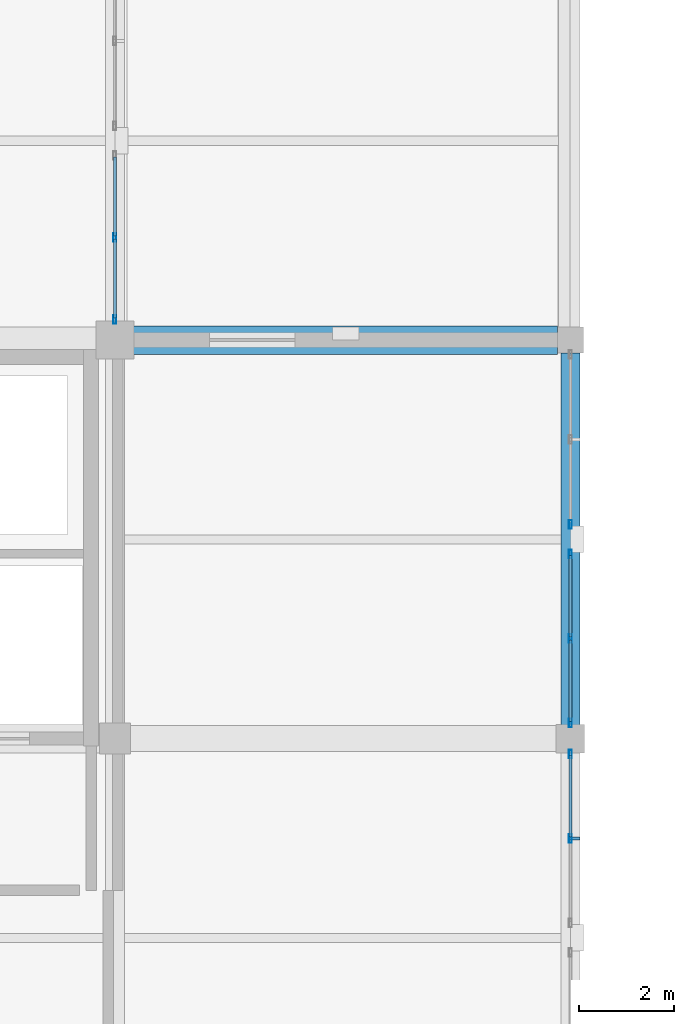
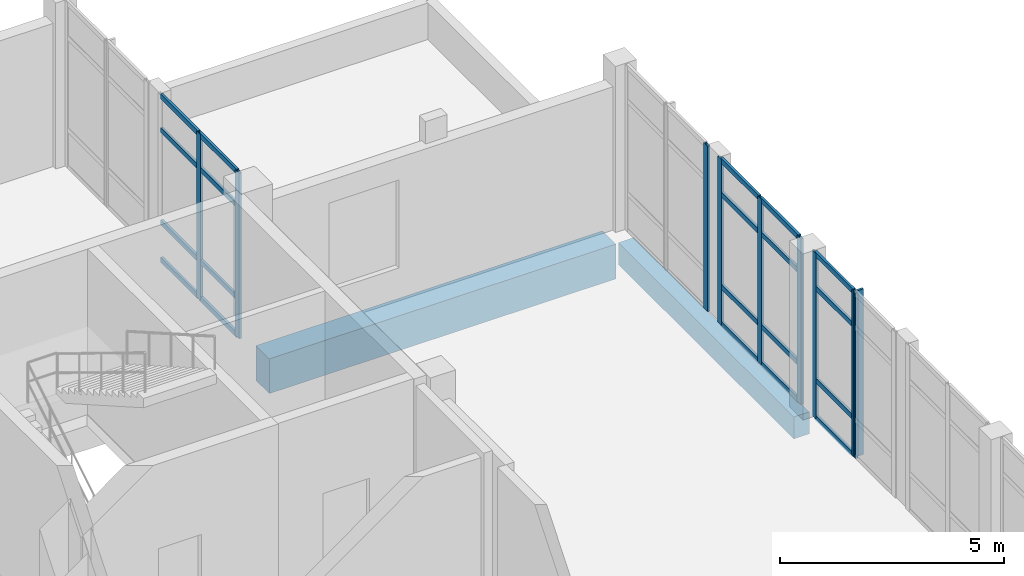
# One storey, part 70 of 102: 29 members, 2 beams, 4 elements without a shape of their own.
"""IFC4 building model written with IfcOpenShell, lengths in metres."""

from ifc_helpers import new_model, si_unit, direction, frame, origin, origin_2d, place, context, subcontext, project, spatial, rectangle, hollow_rectangle, extrude, material, layer, layer_set, material_profile, profile_set, type_object, element, aggregate, save


model = new_model("IFC4")

# Units and contexts
model_context = context("Model", 3, precision=1e-05, world=origin(), true_north=direction((0.0, 1.0)))
body_context = subcontext(model_context, "Body", "Model", "MODEL_VIEW")
ifc_project = project(units=[si_unit("LENGTHUNIT", "METRE"), si_unit("AREAUNIT", "SQUARE_METRE"), si_unit("VOLUMEUNIT", "CUBIC_METRE"), si_unit("PLANEANGLEUNIT", "RADIAN"), si_unit("MASSUNIT", "GRAM", prefix="KILO")], contexts=[model_context])

# Site, building, storey
site_placement = place(None, origin())
site = spatial("IfcSite", under=ifc_project, at=site_placement, CompositionType="ELEMENT")
building_placement = place(site_placement, origin())
building = spatial("IfcBuilding", under=site, at=building_placement, Name="Lornevale Opera House", CompositionType="ELEMENT")
storey_placement = place(building_placement, frame((0.0, 0.0, 5.39990234375)))
storey = spatial("IfcBuildingStorey", under=building, at=storey_placement, Name="L02", CompositionType="ELEMENT", Elevation=5.39990234375)

# Beams
ifc_material_1 = material(Name="Concrete 35 MPa (CSA A23.1 N)", Category="concrete")
ifc_material_profile_1 = material_profile(ifc_material_1, rectangle(XDim=0.60009765625, YDim=0.949951171875, at=origin_2d()), Name="RC600x950")
ifc_profile_set_1 = profile_set([ifc_material_profile_1], Name="Concrete 35 MPa (CSA A23.1 N)")
beam_type_1 = type_object("IfcBeamType", Name="Concrete Primary Girder 600x950", PredefinedType="USERDEFINED", material=ifc_profile_set_1)
beam_1_placement = place(storey_placement, frame((144.375, 75.60009765625, -0.77490234375), z_axis=(1.0, 0.0, 0.0), x_axis=(0.0, 1.0, 0.0)))
element("IfcBeam", 1, at=beam_1_placement, inside=storey, type_object=beam_type_1, Name="Concrete Primary Girder 600x950 1778", ObjectType="GIRDER", PredefinedType="USERDEFINED", context=body_context, shape_type="SweptSolid", body=[
    extrude(rectangle(XDim=0.60009765625, YDim=0.949951171875, at=origin_2d()), origin(), (0.0, 0.0, 1.0), 8.949951171875),
])
ifc_material_profile_2 = material_profile(ifc_material_1, rectangle(XDim=0.39990234375, YDim=0.60009765625, at=origin_2d()), Name="RC400x600")
ifc_profile_set_2 = profile_set([ifc_material_profile_2], Name="Concrete 35 MPa (CSA A23.1 N)")
beam_type_2 = type_object("IfcBeamType", Name="Concrete Spandrel Beam 400x600", PredefinedType="SPANDREL", material=ifc_profile_set_2)
beam_2_placement = place(storey_placement, frame((153.60009765625, 67.47509765625, -0.599853515625), z_axis=(0.0, 1.0, 0.0), x_axis=(-1.0, 0.0, 0.0)))
element("IfcBeam", 2, at=beam_2_placement, inside=storey, type_object=beam_type_2, Name="Concrete Spandrel Beam 400x600 1976", PredefinedType="SPANDREL", context=body_context, shape_type="SweptSolid", body=[
    extrude(rectangle(XDim=0.39990234375, YDim=0.60009765625, at=origin_2d()), origin(), (0.0, 0.0, 1.0), 7.849853515625),
])

# Curtain wall, members
ifc_material_2 = material(Name="Anodized Oxide-Green Aluminium Framing", Category="aluminium")
ifc_layer = layer(ifc_material_2, 0.179931640625)
ifc_layer_set = layer_set([ifc_layer], Name="Anodized Oxide-Green Aluminium Framing")
curtain_wall_type = type_object("IfcCurtainWallType", Name="Promenade Gallery Curtain Wall M1800", PredefinedType="NOTDEFINED", material=ifc_layer_set)
curtain_wall_1_placement = place(storey_placement, origin())
curtain_wall_1 = element("IfcCurtainWall", 3, at=curtain_wall_1_placement, inside=storey, type_object=curtain_wall_type, Name="Promenade Gallery Curtain Wall M1800 CW-079", PredefinedType="NOTDEFINED")
ifc_material_profile_3 = material_profile(ifc_material_2, hollow_rectangle(XDim=0.06494140625, YDim=0.179931640625, WallThickness=0.0048828125, at=origin_2d()), Name="ALU65x180x5")
ifc_profile_set_3 = profile_set([ifc_material_profile_3], Name="Anodized Oxide-Green Aluminium Framing")
member_type_1 = type_object("IfcMemberType", Name="Curtain Wall Mullion 65x180", PredefinedType="MULLION", material=ifc_profile_set_3)
member_1_placement = place(storey_placement, frame((144.0, 77.758056640625, 0.0), z_axis=(0.0, 0.0, 1.0), x_axis=(1.0, 0.0, 0.0)))
member_1 = element("IfcMember", 4, at=member_1_placement, type_object=member_type_1, Name="Curtain Wall Mullion 65x180 CW1600", PredefinedType="MULLION", context=body_context, shape_type="SweptSolid", body=[
    extrude(hollow_rectangle(XDim=0.06494140625, YDim=0.179931640625, WallThickness=0.0048828125, at=origin_2d()), origin(), (0.0, 0.0, 1.0), 4.52001953125),
])
member_2_placement = place(storey_placement, frame((144.0, 76.028564453125, 0.0), z_axis=(0.0, 0.0, 1.0), x_axis=(1.0, 0.0, 0.0)))
member_2 = element("IfcMember", 5, at=member_2_placement, type_object=member_type_1, Name="Curtain Wall Mullion 65x180 CW1601", PredefinedType="MULLION", context=body_context, shape_type="SweptSolid", body=[
    extrude(hollow_rectangle(XDim=0.06494140625, YDim=0.179931640625, WallThickness=0.0048828125, at=origin_2d()), origin(), (0.0, 0.0, 1.0), 4.52001953125),
])

curtain_wall_2_placement = place(storey_placement, origin())
curtain_wall_2 = element("IfcCurtainWall", 6, at=curtain_wall_2_placement, inside=storey, type_object=curtain_wall_type, Name="Promenade Gallery Curtain Wall M1800 CW-088", PredefinedType="NOTDEFINED")
member_3_placement = place(storey_placement, frame((153.60009765625, 66.87158203125, 0.0), z_axis=(0.0, 0.0, 1.0), x_axis=(1.0, 0.0, 0.0)))
member_3 = element("IfcMember", 7, at=member_3_placement, type_object=member_type_1, Name="Curtain Wall Mullion 65x180 CW1752", PredefinedType="MULLION", context=body_context, shape_type="SweptSolid", body=[
    extrude(hollow_rectangle(XDim=0.06494140625, YDim=0.179931640625, WallThickness=0.0048828125, at=origin_2d()), origin(), (0.0, 0.0, 1.0), 4.52001953125),
])
member_4_placement = place(storey_placement, frame((153.60009765625, 65.092041015625, 0.0), z_axis=(0.0, 0.0, 1.0), x_axis=(1.0, 0.0, 0.0)))
member_4 = element("IfcMember", 8, at=member_4_placement, type_object=member_type_1, Name="Curtain Wall Mullion 65x180 CW1753", PredefinedType="MULLION", context=body_context, shape_type="SweptSolid", body=[
    extrude(hollow_rectangle(XDim=0.06494140625, YDim=0.179931640625, WallThickness=0.0048828125, at=origin_2d()), origin(), (0.0, 0.0, 1.0), 4.52001953125),
])

# Curtain wall, member
curtain_wall_3_placement = place(storey_placement, origin())
curtain_wall_3 = element("IfcCurtainWall", 9, at=curtain_wall_3_placement, inside=storey, type_object=curtain_wall_type, Name="Promenade Gallery Curtain Wall M1800 CW-090", PredefinedType="NOTDEFINED")
member_5_placement = place(storey_placement, frame((153.60009765625, 71.71240234375, 0.0), z_axis=(0.0, 0.0, 1.0), x_axis=(1.0, 0.0, 0.0)))
member_5 = element("IfcMember", 10, at=member_5_placement, type_object=member_type_1, Name="Curtain Wall Mullion 65x180 CW1788", PredefinedType="MULLION", context=body_context, shape_type="SweptSolid", body=[
    extrude(hollow_rectangle(XDim=0.06494140625, YDim=0.179931640625, WallThickness=0.0048828125, at=origin_2d()), origin(), (0.0, 0.0, 1.0), 4.52001953125),
])
aggregate(curtain_wall_3, [member_5])

# Curtain wall, members
curtain_wall_4_placement = place(storey_placement, origin())
curtain_wall_4 = element("IfcCurtainWall", 11, at=curtain_wall_4_placement, inside=storey, type_object=curtain_wall_type, Name="Promenade Gallery Curtain Wall M1800 CW-091", PredefinedType="NOTDEFINED")
member_6_placement = place(storey_placement, frame((153.60009765625, 71.08740234375, 0.0), z_axis=(0.0, 0.0, 1.0), x_axis=(1.0, 0.0, 0.0)))
member_6 = element("IfcMember", 12, at=member_6_placement, type_object=member_type_1, Name="Curtain Wall Mullion 65x180 CW1803", PredefinedType="MULLION", context=body_context, shape_type="SweptSolid", body=[
    extrude(hollow_rectangle(XDim=0.06494140625, YDim=0.179931640625, WallThickness=0.0048828125, at=origin_2d()), origin(), (0.0, 0.0, 1.0), 4.52001953125),
])
member_7_placement = place(storey_placement, frame((153.60009765625, 69.30810546875, 0.0), z_axis=(0.0, 0.0, 1.0), x_axis=(1.0, 0.0, 0.0)))
member_7 = element("IfcMember", 13, at=member_7_placement, type_object=member_type_1, Name="Curtain Wall Mullion 65x180 CW1804", PredefinedType="MULLION", context=body_context, shape_type="SweptSolid", body=[
    extrude(hollow_rectangle(XDim=0.06494140625, YDim=0.179931640625, WallThickness=0.0048828125, at=origin_2d()), origin(), (0.0, 0.0, 1.0), 4.52001953125),
])
member_8_placement = place(storey_placement, frame((153.60009765625, 67.528564453125, 0.0), z_axis=(0.0, 0.0, 1.0), x_axis=(1.0, 0.0, 0.0)))
member_8 = element("IfcMember", 14, at=member_8_placement, type_object=member_type_1, Name="Curtain Wall Mullion 65x180 CW1805", PredefinedType="MULLION", context=body_context, shape_type="SweptSolid", body=[
    extrude(hollow_rectangle(XDim=0.06494140625, YDim=0.179931640625, WallThickness=0.0048828125, at=origin_2d()), origin(), (0.0, 0.0, 1.0), 4.52001953125),
])

# Member
ifc_material_profile_4 = material_profile(ifc_material_2, hollow_rectangle(XDim=0.06494140625, YDim=0.135009765625, WallThickness=0.00390625, at=origin_2d()), Name="ALU65x135x4")
ifc_profile_set_4 = profile_set([ifc_material_profile_4], Name="Anodized Oxide-Green Aluminium Framing")
member_type_2 = type_object("IfcMemberType", Name="Curtain Wall Transom 65x135", PredefinedType="USERDEFINED", material=ifc_profile_set_4)
member_9_placement = place(storey_placement, frame((144.0, 79.455078125, 0.03271484375), z_axis=(0.0, -1.0, 0.0), x_axis=(1.0, 0.0, 0.0)))
member_9 = element("IfcMember", 15, at=member_9_placement, type_object=member_type_2, Name="Curtain Wall Transom 65x135 CW1602", ObjectType="TRANSOM", PredefinedType="USERDEFINED", context=body_context, shape_type="SweptSolid", body=[
    extrude(hollow_rectangle(XDim=0.06494140625, YDim=0.135009765625, WallThickness=0.00390625, at=origin_2d()), origin(), (0.0, 0.0, 1.0), 1.66455078125),
])

member_10_placement = place(storey_placement, frame((144.0, 79.455078125, 1.050048828125), z_axis=(0.0, -1.0, 0.0), x_axis=(1.0, 0.0, 0.0)))
member_10 = element("IfcMember", 16, at=member_10_placement, type_object=member_type_2, Name="Curtain Wall Transom 65x135 CW1603", ObjectType="TRANSOM", PredefinedType="USERDEFINED", context=body_context, shape_type="SweptSolid", body=[
    extrude(hollow_rectangle(XDim=0.06494140625, YDim=0.135009765625, WallThickness=0.00390625, at=origin_2d()), origin(), (0.0, 0.0, 1.0), 1.66455078125),
])

member_11_placement = place(storey_placement, frame((144.0, 79.455078125, 3.570068359375), z_axis=(0.0, -1.0, 0.0), x_axis=(1.0, 0.0, 0.0)))
member_11 = element("IfcMember", 17, at=member_11_placement, type_object=member_type_2, Name="Curtain Wall Transom 65x135 CW1604", ObjectType="TRANSOM", PredefinedType="USERDEFINED", context=body_context, shape_type="SweptSolid", body=[
    extrude(hollow_rectangle(XDim=0.06494140625, YDim=0.135009765625, WallThickness=0.00390625, at=origin_2d()), origin(), (0.0, 0.0, 1.0), 1.66455078125),
])

member_12_placement = place(storey_placement, frame((144.0, 79.455078125, 4.487548828125), z_axis=(0.0, -1.0, 0.0), x_axis=(1.0, 0.0, 0.0)))
member_12 = element("IfcMember", 18, at=member_12_placement, type_object=member_type_2, Name="Curtain Wall Transom 65x135 CW1605", ObjectType="TRANSOM", PredefinedType="USERDEFINED", context=body_context, shape_type="SweptSolid", body=[
    extrude(hollow_rectangle(XDim=0.06494140625, YDim=0.135009765625, WallThickness=0.00390625, at=origin_2d()), origin(), (0.0, 0.0, 1.0), 1.66455078125),
])

member_13_placement = place(storey_placement, frame((144.0, 77.7255859375, 0.03271484375), z_axis=(0.0, -1.0, 0.0), x_axis=(1.0, 0.0, 0.0)))
member_13 = element("IfcMember", 19, at=member_13_placement, type_object=member_type_2, Name="Curtain Wall Transom 65x135 CW1609", ObjectType="TRANSOM", PredefinedType="USERDEFINED", context=body_context, shape_type="SweptSolid", body=[
    extrude(hollow_rectangle(XDim=0.06494140625, YDim=0.135009765625, WallThickness=0.00390625, at=origin_2d()), origin(), (0.0, 0.0, 1.0), 1.66455078125),
])

member_14_placement = place(storey_placement, frame((144.0, 77.7255859375, 1.050048828125), z_axis=(0.0, -1.0, 0.0), x_axis=(1.0, 0.0, 0.0)))
member_14 = element("IfcMember", 20, at=member_14_placement, type_object=member_type_2, Name="Curtain Wall Transom 65x135 CW1610", ObjectType="TRANSOM", PredefinedType="USERDEFINED", context=body_context, shape_type="SweptSolid", body=[
    extrude(hollow_rectangle(XDim=0.06494140625, YDim=0.135009765625, WallThickness=0.00390625, at=origin_2d()), origin(), (0.0, 0.0, 1.0), 1.66455078125),
])

member_15_placement = place(storey_placement, frame((144.0, 77.7255859375, 3.570068359375), z_axis=(0.0, -1.0, 0.0), x_axis=(1.0, 0.0, 0.0)))
member_15 = element("IfcMember", 21, at=member_15_placement, type_object=member_type_2, Name="Curtain Wall Transom 65x135 CW1611", ObjectType="TRANSOM", PredefinedType="USERDEFINED", context=body_context, shape_type="SweptSolid", body=[
    extrude(hollow_rectangle(XDim=0.06494140625, YDim=0.135009765625, WallThickness=0.00390625, at=origin_2d()), origin(), (0.0, 0.0, 1.0), 1.66455078125),
])

member_16_placement = place(storey_placement, frame((144.0, 77.7255859375, 4.487548828125), z_axis=(0.0, -1.0, 0.0), x_axis=(1.0, 0.0, 0.0)))
member_16 = element("IfcMember", 22, at=member_16_placement, type_object=member_type_2, Name="Curtain Wall Transom 65x135 CW1612", ObjectType="TRANSOM", PredefinedType="USERDEFINED", context=body_context, shape_type="SweptSolid", body=[
    extrude(hollow_rectangle(XDim=0.06494140625, YDim=0.135009765625, WallThickness=0.00390625, at=origin_2d()), origin(), (0.0, 0.0, 1.0), 1.66455078125),
])

aggregate(curtain_wall_1, [member_1, member_2, member_9, member_10, member_11, member_12, member_13, member_14, member_15, member_16])

member_17_placement = place(storey_placement, frame((153.60009765625, 66.839111328125, 0.03271484375), z_axis=(0.0, -1.0, 0.0), x_axis=(1.0, 0.0, 0.0)))
member_17 = element("IfcMember", 23, at=member_17_placement, type_object=member_type_2, Name="Curtain Wall Transom 65x135 CW1755", ObjectType="TRANSOM", PredefinedType="USERDEFINED", context=body_context, shape_type="SweptSolid", body=[
    extrude(hollow_rectangle(XDim=0.06494140625, YDim=0.135009765625, WallThickness=0.00390625, at=origin_2d()), origin(), (0.0, 0.0, 1.0), 1.714599609375),
])

member_18_placement = place(storey_placement, frame((153.60009765625, 66.839111328125, 1.050048828125), z_axis=(0.0, -1.0, 0.0), x_axis=(1.0, 0.0, 0.0)))
member_18 = element("IfcMember", 24, at=member_18_placement, type_object=member_type_2, Name="Curtain Wall Transom 65x135 CW1756", ObjectType="TRANSOM", PredefinedType="USERDEFINED", context=body_context, shape_type="SweptSolid", body=[
    extrude(hollow_rectangle(XDim=0.06494140625, YDim=0.135009765625, WallThickness=0.00390625, at=origin_2d()), origin(), (0.0, 0.0, 1.0), 1.714599609375),
])

member_19_placement = place(storey_placement, frame((153.60009765625, 66.839111328125, 3.570068359375), z_axis=(0.0, -1.0, 0.0), x_axis=(1.0, 0.0, 0.0)))
member_19 = element("IfcMember", 25, at=member_19_placement, type_object=member_type_2, Name="Curtain Wall Transom 65x135 CW1757", ObjectType="TRANSOM", PredefinedType="USERDEFINED", context=body_context, shape_type="SweptSolid", body=[
    extrude(hollow_rectangle(XDim=0.06494140625, YDim=0.135009765625, WallThickness=0.00390625, at=origin_2d()), origin(), (0.0, 0.0, 1.0), 1.714599609375),
])

member_20_placement = place(storey_placement, frame((153.60009765625, 66.839111328125, 4.487548828125), z_axis=(0.0, -1.0, 0.0), x_axis=(1.0, 0.0, 0.0)))
member_20 = element("IfcMember", 26, at=member_20_placement, type_object=member_type_2, Name="Curtain Wall Transom 65x135 CW1758", ObjectType="TRANSOM", PredefinedType="USERDEFINED", context=body_context, shape_type="SweptSolid", body=[
    extrude(hollow_rectangle(XDim=0.06494140625, YDim=0.135009765625, WallThickness=0.00390625, at=origin_2d()), origin(), (0.0, 0.0, 1.0), 1.714599609375),
])

member_21_placement = place(storey_placement, frame((153.60009765625, 71.054931640625, 0.03271484375), z_axis=(0.0, -1.0, 0.0), x_axis=(1.0, 0.0, 0.0)))
member_21 = element("IfcMember", 27, at=member_21_placement, type_object=member_type_2, Name="Curtain Wall Transom 65x135 CW1806", ObjectType="TRANSOM", PredefinedType="USERDEFINED", context=body_context, shape_type="SweptSolid", body=[
    extrude(hollow_rectangle(XDim=0.06494140625, YDim=0.135009765625, WallThickness=0.00390625, at=origin_2d()), origin(), (0.0, 0.0, 1.0), 1.71435546875),
])

member_22_placement = place(storey_placement, frame((153.60009765625, 71.054931640625, 1.050048828125), z_axis=(0.0, -1.0, 0.0), x_axis=(1.0, 0.0, 0.0)))
member_22 = element("IfcMember", 28, at=member_22_placement, type_object=member_type_2, Name="Curtain Wall Transom 65x135 CW1807", ObjectType="TRANSOM", PredefinedType="USERDEFINED", context=body_context, shape_type="SweptSolid", body=[
    extrude(hollow_rectangle(XDim=0.06494140625, YDim=0.135009765625, WallThickness=0.00390625, at=origin_2d()), origin(), (0.0, 0.0, 1.0), 1.71435546875),
])

member_23_placement = place(storey_placement, frame((153.60009765625, 71.054931640625, 3.570068359375), z_axis=(0.0, -1.0, 0.0), x_axis=(1.0, 0.0, 0.0)))
member_23 = element("IfcMember", 29, at=member_23_placement, type_object=member_type_2, Name="Curtain Wall Transom 65x135 CW1808", ObjectType="TRANSOM", PredefinedType="USERDEFINED", context=body_context, shape_type="SweptSolid", body=[
    extrude(hollow_rectangle(XDim=0.06494140625, YDim=0.135009765625, WallThickness=0.00390625, at=origin_2d()), origin(), (0.0, 0.0, 1.0), 1.71435546875),
])

member_24_placement = place(storey_placement, frame((153.60009765625, 71.054931640625, 4.487548828125), z_axis=(0.0, -1.0, 0.0), x_axis=(1.0, 0.0, 0.0)))
member_24 = element("IfcMember", 30, at=member_24_placement, type_object=member_type_2, Name="Curtain Wall Transom 65x135 CW1809", ObjectType="TRANSOM", PredefinedType="USERDEFINED", context=body_context, shape_type="SweptSolid", body=[
    extrude(hollow_rectangle(XDim=0.06494140625, YDim=0.135009765625, WallThickness=0.00390625, at=origin_2d()), origin(), (0.0, 0.0, 1.0), 1.71435546875),
])

member_25_placement = place(storey_placement, frame((153.60009765625, 69.275390625, 0.03271484375), z_axis=(0.0, -1.0, 0.0), x_axis=(1.0, 0.0, 0.0)))
member_25 = element("IfcMember", 31, at=member_25_placement, type_object=member_type_2, Name="Curtain Wall Transom 65x135 CW1813", ObjectType="TRANSOM", PredefinedType="USERDEFINED", context=body_context, shape_type="SweptSolid", body=[
    extrude(hollow_rectangle(XDim=0.06494140625, YDim=0.135009765625, WallThickness=0.00390625, at=origin_2d()), origin(), (0.0, 0.0, 1.0), 1.71435546875),
])

member_26_placement = place(storey_placement, frame((153.60009765625, 69.275390625, 1.050048828125), z_axis=(0.0, -1.0, 0.0), x_axis=(1.0, 0.0, 0.0)))
member_26 = element("IfcMember", 32, at=member_26_placement, type_object=member_type_2, Name="Curtain Wall Transom 65x135 CW1814", ObjectType="TRANSOM", PredefinedType="USERDEFINED", context=body_context, shape_type="SweptSolid", body=[
    extrude(hollow_rectangle(XDim=0.06494140625, YDim=0.135009765625, WallThickness=0.00390625, at=origin_2d()), origin(), (0.0, 0.0, 1.0), 1.71435546875),
])

member_27_placement = place(storey_placement, frame((153.60009765625, 69.275390625, 3.570068359375), z_axis=(0.0, -1.0, 0.0), x_axis=(1.0, 0.0, 0.0)))
member_27 = element("IfcMember", 33, at=member_27_placement, type_object=member_type_2, Name="Curtain Wall Transom 65x135 CW1815", ObjectType="TRANSOM", PredefinedType="USERDEFINED", context=body_context, shape_type="SweptSolid", body=[
    extrude(hollow_rectangle(XDim=0.06494140625, YDim=0.135009765625, WallThickness=0.00390625, at=origin_2d()), origin(), (0.0, 0.0, 1.0), 1.71435546875),
])

member_28_placement = place(storey_placement, frame((153.60009765625, 69.275390625, 4.487548828125), z_axis=(0.0, -1.0, 0.0), x_axis=(1.0, 0.0, 0.0)))
member_28 = element("IfcMember", 34, at=member_28_placement, type_object=member_type_2, Name="Curtain Wall Transom 65x135 CW1816", ObjectType="TRANSOM", PredefinedType="USERDEFINED", context=body_context, shape_type="SweptSolid", body=[
    extrude(hollow_rectangle(XDim=0.06494140625, YDim=0.135009765625, WallThickness=0.00390625, at=origin_2d()), origin(), (0.0, 0.0, 1.0), 1.71435546875),
])

aggregate(curtain_wall_4, [member_6, member_7, member_8, member_21, member_22, member_23, member_24, member_25, member_26, member_27, member_28])

ifc_material_3 = material(Name="Architectural Bronze Solar Louvre Alloy", Category="metal")
ifc_material_profile_5 = material_profile(ifc_material_3, rectangle(XDim=0.06005859375, YDim=0.239990234375, at=origin_2d()), Name="FIN60x240")
ifc_profile_set_5 = profile_set([ifc_material_profile_5], Name="Architectural Bronze Solar Louvre Alloy")
member_type_3 = type_object("IfcMemberType", Name="Solar Shading Fin 60x240", PredefinedType="USERDEFINED", material=ifc_profile_set_5)
member_29_placement = place(storey_placement, frame((153.68408203125, 65.092041015625, 0.0), z_axis=(0.0, 0.0, 1.0), x_axis=(0.0, -1.0, 0.0)))
member_29 = element("IfcMember", 35, at=member_29_placement, type_object=member_type_3, Name="Solar Shading Fin 60x240 FIN0039", ObjectType="SOLAR FIN", PredefinedType="USERDEFINED", context=body_context, shape_type="SweptSolid", body=[
    extrude(rectangle(XDim=0.06005859375, YDim=0.239990234375, at=origin_2d()), origin(), (0.0, 0.0, 1.0), 4.52001953125),
])

aggregate(curtain_wall_2, [member_3, member_4, member_17, member_18, member_19, member_20, member_29])

save(model, "model.ifc")
